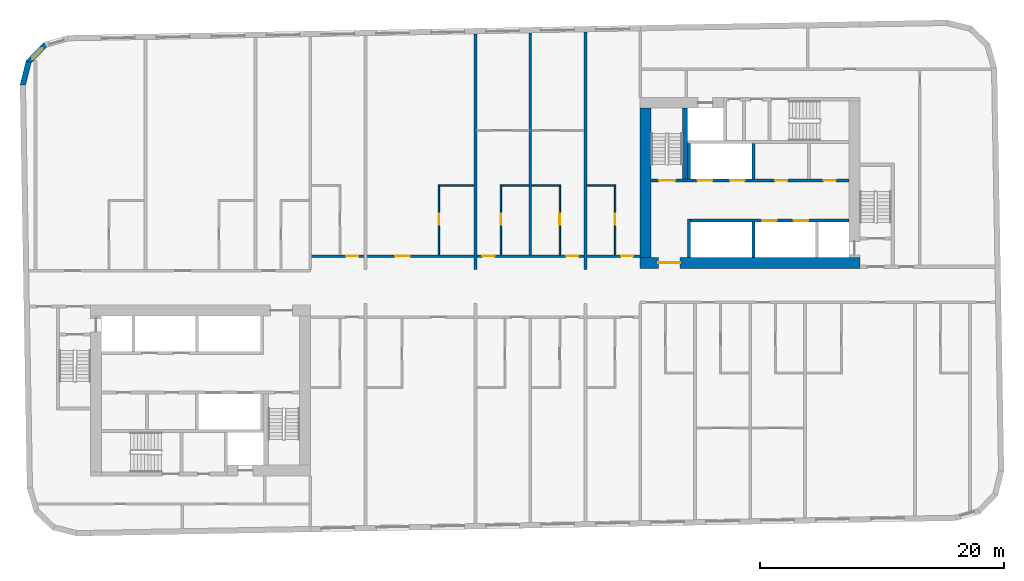
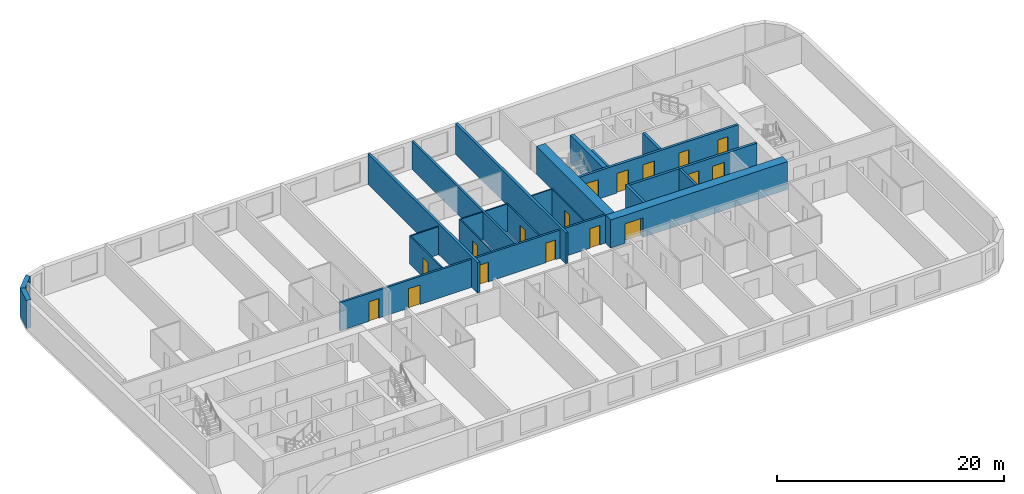
# One storey, part 5 of 12: 23 walls, 17 doors, 1 window, 18 openings.
"""IFC4 building model written with IfcOpenShell, lengths in metres."""

from ifc_helpers import new_model, si_unit, direction, frame, frame_2d, origin, place, context, subcontext, project, spatial, polyline, rectangle, outline, extrude, material, layer, layer_set, type_object, element, fill, save


model = new_model("IFC4")

# Units and contexts
model_context = context("Model", 3, precision=1e-05, world=origin(), true_north=direction((0.0, 1.0)))
body_context = subcontext(model_context, "Body", "Model", "MODEL_VIEW")
ifc_project = project(units=[si_unit("LENGTHUNIT", "METRE"), si_unit("AREAUNIT", "SQUARE_METRE"), si_unit("VOLUMEUNIT", "CUBIC_METRE"), si_unit("PLANEANGLEUNIT", "RADIAN"), si_unit("MASSUNIT", "GRAM", prefix="KILO")], contexts=[model_context])

# Site, building, storey
site_placement = place(None, origin())
site = spatial("IfcSite", under=ifc_project, at=site_placement, CompositionType="ELEMENT")
building_placement = place(site_placement, origin())
building = spatial("IfcBuilding", under=site, at=building_placement, Name="Kajstack Hotel Tower", CompositionType="ELEMENT")
storey_placement = place(building_placement, frame((0.0, 0.0, 234.199951171875)))
storey = spatial("IfcBuildingStorey", under=building, at=storey_placement, Name="L57", CompositionType="ELEMENT", Elevation=234.199951171875)

# Wall, opening, door
ifc_material_1 = material(Name="Concrete C60/75", Category="concrete")
ifc_layer_1 = layer(ifc_material_1, 0.89990234375)
ifc_layer_set_1 = layer_set([ifc_layer_1], Name="Core wall 900")
wall_type_1 = type_object("IfcWallType", Name="Core wall 900", PredefinedType="SHEAR", material=ifc_layer_set_1)
wall_1_placement = place(storey_placement, frame((13.5, 1.949951171875, 0.0), z_axis=(0.0, 0.0, 1.0), x_axis=(1.0, 0.0, 0.0)))
wall_1 = element("IfcWall", 1, at=wall_1_placement, inside=storey, type_object=wall_type_1, Name="Core wall E RN", PredefinedType="SHEAR", context=body_context, shape_type="SweptSolid", body=[
    extrude(rectangle(XDim=18.0, YDim=0.89990234375, at=frame_2d((9.0, 0.0))), origin(), (0.0, 0.0, 1.0), 3.02001953125),
])
opening_1_placement = place(wall_1_placement, frame((1.47509765625, 0.0, 0.0)))
opening_1 = element("IfcOpeningElement", 2, at=opening_1_placement, cuts=wall_1, Name="Opening 57E07", PredefinedType="OPENING", context=body_context, shape_type="SweptSolid", body=[
    extrude(rectangle(XDim=1.800048828125, YDim=2.10009765625, at=frame_2d((0.89990234375, 1.050048828125))), frame((0.0, 0.4599609375, 0.0), z_axis=(0.0, -1.0, 0.0), x_axis=(1.0, 0.0, 0.0)), (0.0, 0.0, 1.0), 0.919921875),
])
ifc_material_2 = material(Name="Glazed steel frame, fire-rated glass", Category="steel")
door_type_1 = type_object("IfcDoorType", Name="Lobby double door 1800", OperationType="DOUBLE_DOOR_DOUBLE_SWING", PredefinedType="DOOR", material=ifc_material_2)
door_1_placement = place(opening_1_placement, origin())
door_1 = element("IfcDoor", 3, at=door_1_placement, inside=storey, type_object=door_type_1, Name="Door 57E07", OperationType="DOUBLE_DOOR_DOUBLE_SWING", OverallHeight=2.10009765625, OverallWidth=1.800048828125, PredefinedType="DOOR", context=body_context, shape_type="SweptSolid", body=[
    extrude(rectangle(XDim=1.800048828125, YDim=2.10009765625, at=frame_2d((0.89990234375, 1.050048828125))), frame((0.0, 0.02490234375, 0.0), z_axis=(0.0, -1.0, 0.0), x_axis=(1.0, 0.0, 0.0)), (0.0, 0.0, 1.0), 0.050048828125),
])
fill(opening_1, door_1)

# Wall
wall_2_placement = place(storey_placement, frame((13.949951171875, 2.39990234375, 0.0), z_axis=(0.0, 0.0, 1.0), x_axis=(0.0, 1.0, 0.0)))
element("IfcWall", 4, at=wall_2_placement, inside=storey, type_object=wall_type_1, Name="Core wall E RE", PredefinedType="SHEAR", context=body_context, shape_type="SweptSolid", body=[
    extrude(rectangle(XDim=12.2001953125, YDim=0.89990234375, at=frame_2d((6.10009765625, 0.0))), origin(), (0.0, 0.0, 1.0), 3.02001953125),
])

# Wall, openings, doors
ifc_material_3 = material(Name="Gypsum board on steel studs, mineral wool", Category="steel")
ifc_layer_2 = layer(ifc_material_3, 0.199951171875)
ifc_layer_set_2 = layer_set([ifc_layer_2], Name="Corridor wall 200")
wall_type_2 = type_object("IfcWallType", Name="Corridor wall 200", PredefinedType="PARTITIONING", material=ifc_layer_set_2)
wall_3_placement = place(storey_placement, frame((-13.5, 2.5, 0.0), z_axis=(0.0, 0.0, 1.0), x_axis=(1.0, 0.0, 0.0)))
wall_3 = element("IfcWall", 5, at=wall_3_placement, inside=storey, type_object=wall_type_2, Name="G-wall-L57-004", PredefinedType="PARTITIONING", context=body_context, shape_type="SweptSolid", body=[
    extrude(rectangle(XDim=27.0, YDim=0.199951171875, at=frame_2d((13.5, 0.0))), origin(), (0.0, 0.0, 1.0), 3.02001953125),
])
opening_2_placement = place(wall_3_placement, frame((2.925048828125, 0.0, 0.0)))
opening_2 = element("IfcOpeningElement", 6, at=opening_2_placement, cuts=wall_3, Name="Opening 57007", PredefinedType="OPENING", context=body_context, shape_type="SweptSolid", body=[
    extrude(rectangle(XDim=1.0, YDim=2.10009765625, at=frame_2d((0.5, 1.050048828125))), frame((0.0, 0.10986328125, 0.0), z_axis=(0.0, -1.0, 0.0), x_axis=(1.0, 0.0, 0.0)), (0.0, 0.0, 1.0), 0.219970703125),
])
opening_3_placement = place(wall_3_placement, frame((6.93798828125, 0.0, 0.0)))
opening_3 = element("IfcOpeningElement", 7, at=opening_3_placement, cuts=wall_3, Name="Opening 57009", PredefinedType="OPENING", context=body_context, shape_type="SweptSolid", body=[
    extrude(rectangle(XDim=1.199951171875, YDim=2.10009765625, at=frame_2d((0.60009765625, 1.050048828125))), frame((0.0, 0.10986328125, 0.0), z_axis=(0.0, -1.0, 0.0), x_axis=(1.0, 0.0, 0.0)), (0.0, 0.0, 1.0), 0.219970703125),
])
opening_4_placement = place(wall_3_placement, frame((14.074951171875, 0.0, 0.0)))
opening_4 = element("IfcOpeningElement", 8, at=opening_4_placement, cuts=wall_3, Name="Opening 57011", PredefinedType="OPENING", context=body_context, shape_type="SweptSolid", body=[
    extrude(rectangle(XDim=1.0, YDim=2.10009765625, at=frame_2d((0.5, 1.050048828125))), frame((0.0, 0.10986328125, 0.0), z_axis=(0.0, -1.0, 0.0), x_axis=(1.0, 0.0, 0.0)), (0.0, 0.0, 1.0), 0.219970703125),
])
opening_5_placement = place(wall_3_placement, frame((20.925048828125, 0.0, 0.0)))
opening_5 = element("IfcOpeningElement", 9, at=opening_5_placement, cuts=wall_3, Name="Opening 57014", PredefinedType="OPENING", context=body_context, shape_type="SweptSolid", body=[
    extrude(rectangle(XDim=1.0, YDim=2.10009765625, at=frame_2d((0.5, 1.050048828125))), frame((0.0, 0.10986328125, 0.0), z_axis=(0.0, -1.0, 0.0), x_axis=(1.0, 0.0, 0.0)), (0.0, 0.0, 1.0), 0.219970703125),
])
opening_6_placement = place(wall_3_placement, frame((25.425048828125, 0.0, 0.0)))
opening_6 = element("IfcOpeningElement", 10, at=opening_6_placement, cuts=wall_3, Name="Opening 57017", PredefinedType="OPENING", context=body_context, shape_type="SweptSolid", body=[
    extrude(rectangle(XDim=1.0, YDim=2.10009765625, at=frame_2d((0.5, 1.050048828125))), frame((0.0, 0.10986328125, 0.0), z_axis=(0.0, -1.0, 0.0), x_axis=(1.0, 0.0, 0.0)), (0.0, 0.0, 1.0), 0.219970703125),
])
ifc_material_4 = material(Name="Oak veneer on timber core, fire-rated leaf", Category="wood")
door_type_2 = type_object("IfcDoorType", Name="Flat entrance door 1000", OperationType="SINGLE_SWING_LEFT", PredefinedType="DOOR", material=ifc_material_4)
door_2_placement = place(opening_2_placement, origin())
door_2 = element("IfcDoor", 11, at=door_2_placement, inside=storey, type_object=door_type_2, Name="G-door-L57-07", OperationType="SINGLE_SWING_RIGHT", OverallHeight=2.10009765625, OverallWidth=1.0, PredefinedType="DOOR", context=body_context, shape_type="SweptSolid", body=[
    extrude(rectangle(XDim=1.0, YDim=2.10009765625, at=frame_2d((0.5, 1.050048828125))), frame((0.0, 0.02490234375, 0.0), z_axis=(0.0, -1.0, 0.0), x_axis=(1.0, 0.0, 0.0)), (0.0, 0.0, 1.0), 0.050048828125),
])
fill(opening_2, door_2)
door_3_placement = place(opening_4_placement, origin())
door_3 = element("IfcDoor", 12, at=door_3_placement, inside=storey, type_object=door_type_2, Name="G-door-L57-11", OperationType="SINGLE_SWING_LEFT", OverallHeight=2.10009765625, OverallWidth=1.0, PredefinedType="DOOR", context=body_context, shape_type="SweptSolid", body=[
    extrude(rectangle(XDim=1.0, YDim=2.10009765625, at=frame_2d((0.5, 1.050048828125))), frame((0.0, 0.02490234375, 0.0), z_axis=(0.0, -1.0, 0.0), x_axis=(1.0, 0.0, 0.0)), (0.0, 0.0, 1.0), 0.050048828125),
])
fill(opening_4, door_3)
door_4_placement = place(opening_5_placement, origin())
door_4 = element("IfcDoor", 13, at=door_4_placement, inside=storey, type_object=door_type_2, Name="G-door-L57-14", OperationType="SINGLE_SWING_LEFT", OverallHeight=2.10009765625, OverallWidth=1.0, PredefinedType="DOOR", context=body_context, shape_type="SweptSolid", body=[
    extrude(rectangle(XDim=1.0, YDim=2.10009765625, at=frame_2d((0.5, 1.050048828125))), frame((0.0, 0.02490234375, 0.0), z_axis=(0.0, -1.0, 0.0), x_axis=(1.0, 0.0, 0.0)), (0.0, 0.0, 1.0), 0.050048828125),
])
fill(opening_5, door_4)
door_5_placement = place(opening_6_placement, origin())
door_5 = element("IfcDoor", 14, at=door_5_placement, inside=storey, type_object=door_type_2, Name="G-door-L57-17", OperationType="SINGLE_SWING_RIGHT", OverallHeight=2.10009765625, OverallWidth=1.0, PredefinedType="DOOR", context=body_context, shape_type="SweptSolid", body=[
    extrude(rectangle(XDim=1.0, YDim=2.10009765625, at=frame_2d((0.5, 1.050048828125))), frame((0.0, 0.02490234375, 0.0), z_axis=(0.0, -1.0, 0.0), x_axis=(1.0, 0.0, 0.0)), (0.0, 0.0, 1.0), 0.050048828125),
])
fill(opening_6, door_5)
door_type_3 = type_object("IfcDoorType", Name="Flat entrance door 1200", OperationType="SINGLE_SWING_LEFT", PredefinedType="DOOR", material=ifc_material_4)
door_6_placement = place(opening_3_placement, origin())
door_6 = element("IfcDoor", 15, at=door_6_placement, inside=storey, type_object=door_type_3, Name="G-door-L57-09", OperationType="SINGLE_SWING_LEFT", OverallHeight=2.10009765625, OverallWidth=1.199951171875, PredefinedType="DOOR", context=body_context, shape_type="SweptSolid", body=[
    extrude(rectangle(XDim=1.199951171875, YDim=2.10009765625, at=frame_2d((0.60009765625, 1.050048828125))), frame((0.0, 0.02490234375, 0.0), z_axis=(0.0, -1.0, 0.0), x_axis=(1.0, 0.0, 0.0)), (0.0, 0.0, 1.0), 0.050048828125),
])
fill(opening_3, door_6)

# Wall
ifc_material_5 = material(Name="Twin-frame gypsum board on steel studs, mineral wool", Category="steel")
ifc_layer_3 = layer(ifc_material_5, 0.199951171875)
ifc_layer_set_3 = layer_set([ifc_layer_3], Name="Demising wall 200")
wall_type_3 = type_object("IfcWallType", Name="Demising wall 200", PredefinedType="PARTITIONING", material=ifc_layer_set_3)
wall_4_placement = place(storey_placement, frame((4.5, 2.60009765625, 0.0), z_axis=(0.0, 0.0, 1.0), x_axis=(0.0, 1.0, 0.0)))
element("IfcWall", 16, at=wall_4_placement, inside=storey, type_object=wall_type_3, Name="G-wall-L57-016", PredefinedType="PARTITIONING", context=body_context, shape_type="SweptSolid", body=[
    extrude(rectangle(XDim=18.178955078125, YDim=0.199951171875, at=frame_2d((9.08935546875, 0.0))), origin(), (0.0, 0.0, 1.0), 3.02001953125),
])

# Wall, opening, window
ifc_material_6 = material(Name="Terracotta-faced brick masonry", Category="masonry")
ifc_layer_4 = layer(ifc_material_6, 0.449951171875)
ifc_layer_set_4 = layer_set([ifc_layer_4], Name="EW-TERRA")
wall_type_4 = type_object("IfcWallType", Name="EW-TERRA", PredefinedType="SOLIDWALL", material=ifc_layer_set_4)
wall_5_placement = place(storey_placement, frame((-35.1806640625, 19.841552734375, 0.0), z_axis=(0.0, 0.0, 1.0), x_axis=(-0.694678672846, -0.719320193998, 0.0)))
wall_5 = element("IfcWall", 17, at=wall_5_placement, inside=storey, type_object=wall_type_4, Name="E-wall-L57-14-00", PredefinedType="SOLIDWALL", context=body_context, shape_type="SweptSolid", body=[
    extrude(outline(polyline([(0.0, -0.22509765625), (2.07080078125, -0.22509765625), (1.9501953125, 0.224853515625), (0.12060546875, 0.224853515625), (0.0, -0.22509765625)])), origin(), (0.0, 0.0, 1.0), 3.02001953125),
])
opening_7_placement = place(wall_5_placement, frame((0.435302734375, 0.0, 0.449951171875)))
opening_7 = element("IfcOpeningElement", 18, at=opening_7_placement, cuts=wall_5, Name="Opening W3", PredefinedType="OPENING", context=body_context, shape_type="SweptSolid", body=[
    extrude(rectangle(XDim=1.199951171875, YDim=2.25, at=frame_2d((0.60009765625, 1.125))), frame((0.0, 0.23486328125, 0.0), z_axis=(0.0, -1.0, 0.0), x_axis=(1.0, 0.0, 0.0)), (0.0, 0.0, 1.0), 0.469970703125),
])
ifc_material_7 = material(Name="Timber-aluminium window, triple glazed", Category="wood")
window_type = type_object("IfcWindowType", Name="WG3", PartitioningType="SINGLE_PANEL", PredefinedType="WINDOW", material=ifc_material_7)
window_placement = place(opening_7_placement, origin())
window = element("IfcWindow", 19, at=window_placement, inside=storey, type_object=window_type, Name="Window W3 L57-14", OverallHeight=2.25, OverallWidth=1.199951171875, PartitioningType="SINGLE_PANEL", PredefinedType="WINDOW", context=body_context, shape_type="SweptSolid", body=[
    extrude(rectangle(XDim=1.199951171875, YDim=2.25, at=frame_2d((0.60009765625, 1.125))), frame((0.0, 0.090087890625, 0.0), z_axis=(0.0, -1.0, 0.0), x_axis=(1.0, 0.0, 0.0)), (0.0, 0.0, 1.0), 0.06005859375),
])
fill(opening_7, window)

# Wall
wall_6_placement = place(storey_placement, frame((-36.562744140625, 18.453857421875, 0.0), z_axis=(0.0, 0.0, 1.0), x_axis=(-0.241869623482, -0.970308757683, 0.0)))
element("IfcWall", 20, at=wall_6_placement, inside=storey, type_object=wall_type_4, Name="E-wall-L57-15-00", PredefinedType="SOLIDWALL", context=body_context, shape_type="SweptSolid", body=[
    extrude(outline(polyline([(-0.000244140625, -0.224853515625), (2.0703125, -0.22509765625), (1.94970703125, 0.224853515625), (0.120361328125, 0.22509765625), (-0.000244140625, -0.224853515625)])), origin(), (0.0, 0.0, 1.0), 3.02001953125),
])

# Wall, opening, door
ifc_material_8 = material(Name="Gypsum board and tiled backer on steel studs", Category="steel")
ifc_layer_5 = layer(ifc_material_8, 0.125)
ifc_layer_set_5 = layer_set([ifc_layer_5], Name="En-suite wall 125")
wall_type_5 = type_object("IfcWallType", Name="En-suite wall 125", PredefinedType="PARTITIONING", material=ifc_layer_set_5)
wall_7_placement = place(storey_placement, frame((-2.987060546875, 2.60009765625, 0.0), z_axis=(0.0, 0.0, 1.0), x_axis=(0.0, 1.0, 0.0)))
wall_7 = element("IfcWall", 21, at=wall_7_placement, inside=storey, type_object=wall_type_5, Name="G-wall-L57-014", PredefinedType="PARTITIONING", context=body_context, shape_type="SweptSolid", body=[
    extrude(rectangle(XDim=5.724853515625, YDim=0.125, at=frame_2d((2.8623046875, 0.0))), origin(), (0.0, 0.0, 1.0), 3.02001953125),
])
opening_8_placement = place(wall_7_placement, frame((2.449951171875, 0.0, 0.0)))
opening_8 = element("IfcOpeningElement", 22, at=opening_8_placement, cuts=wall_7, Name="Opening 57010", PredefinedType="OPENING", context=body_context, shape_type="SweptSolid", body=[
    extrude(rectangle(XDim=0.89990234375, YDim=2.10009765625, at=frame_2d((0.449951171875, 1.050048828125))), frame((0.0, 0.072509765625, 0.0), z_axis=(0.0, -1.0, 0.0), x_axis=(1.0, 0.0, 0.0)), (0.0, 0.0, 1.0), 0.14501953125),
])
ifc_material_9 = material(Name="Painted timber door leaf", Category="wood")
door_type_4 = type_object("IfcDoorType", Name="Room door 900", OperationType="SINGLE_SWING_LEFT", PredefinedType="DOOR", material=ifc_material_9)
door_7_placement = place(opening_8_placement, origin())
door_7 = element("IfcDoor", 23, at=door_7_placement, inside=storey, type_object=door_type_4, Name="G-door-L57-10", OperationType="SINGLE_SWING_RIGHT", OverallHeight=2.10009765625, OverallWidth=0.89990234375, PredefinedType="DOOR", context=body_context, shape_type="SweptSolid", body=[
    extrude(rectangle(XDim=0.89990234375, YDim=2.10009765625, at=frame_2d((0.449951171875, 1.050048828125))), frame((0.0, 0.02490234375, 0.0), z_axis=(0.0, -1.0, 0.0), x_axis=(1.0, 0.0, 0.0)), (0.0, 0.0, 1.0), 0.050048828125),
])
fill(opening_8, door_7)

# Wall
wall_8_placement = place(storey_placement, frame((-2.925048828125, 8.261962890625, 0.0), z_axis=(0.0, 0.0, 1.0), x_axis=(1.0, 0.0, 0.0)))
element("IfcWall", 24, at=wall_8_placement, inside=storey, type_object=wall_type_5, Name="G-wall-L57-015", PredefinedType="PARTITIONING", context=body_context, shape_type="SweptSolid", body=[
    extrude(rectangle(XDim=2.800048828125, YDim=0.125, at=frame_2d((1.39990234375, 0.0))), origin(), (0.0, 0.0, 1.0), 3.02001953125),
])

# Wall, opening, door
wall_9_placement = place(storey_placement, frame((2.0869140625, 2.60009765625, 0.0), z_axis=(0.0, 0.0, 1.0), x_axis=(0.0, 1.0, 0.0)))
wall_9 = element("IfcWall", 25, at=wall_9_placement, inside=storey, type_object=wall_type_5, Name="G-wall-L57-017", PredefinedType="PARTITIONING", context=body_context, shape_type="SweptSolid", body=[
    extrude(rectangle(XDim=5.724853515625, YDim=0.125, at=frame_2d((2.8623046875, 0.0))), origin(), (0.0, 0.0, 1.0), 3.02001953125),
])
opening_9_placement = place(wall_9_placement, frame((2.449951171875, 0.0, 0.0)))
opening_9 = element("IfcOpeningElement", 26, at=opening_9_placement, cuts=wall_9, Name="Opening 57012", PredefinedType="OPENING", context=body_context, shape_type="SweptSolid", body=[
    extrude(rectangle(XDim=0.89990234375, YDim=2.10009765625, at=frame_2d((0.449951171875, 1.050048828125))), frame((0.0, 0.072509765625, 0.0), z_axis=(0.0, -1.0, 0.0), x_axis=(1.0, 0.0, 0.0)), (0.0, 0.0, 1.0), 0.14501953125),
])
door_8_placement = place(opening_9_placement, origin())
door_8 = element("IfcDoor", 27, at=door_8_placement, inside=storey, type_object=door_type_4, Name="G-door-L57-12", OperationType="SINGLE_SWING_RIGHT", OverallHeight=2.10009765625, OverallWidth=0.89990234375, PredefinedType="DOOR", context=body_context, shape_type="SweptSolid", body=[
    extrude(rectangle(XDim=0.89990234375, YDim=2.10009765625, at=frame_2d((0.449951171875, 1.050048828125))), frame((0.0, 0.02490234375, 0.0), z_axis=(0.0, -1.0, 0.0), x_axis=(1.0, 0.0, 0.0)), (0.0, 0.0, 1.0), 0.050048828125),
])
fill(opening_9, door_8)

# Wall
wall_10_placement = place(storey_placement, frame((2.14990234375, 8.261962890625, 0.0), z_axis=(0.0, 0.0, 1.0), x_axis=(1.0, 0.0, 0.0)))
element("IfcWall", 28, at=wall_10_placement, inside=storey, type_object=wall_type_5, Name="G-wall-L57-018", PredefinedType="PARTITIONING", context=body_context, shape_type="SweptSolid", body=[
    extrude(rectangle(XDim=2.25, YDim=0.125, at=frame_2d((1.125, 0.0))), origin(), (0.0, 0.0, 1.0), 3.02001953125),
])

# Wall, opening, door
wall_11_placement = place(storey_placement, frame((6.912109375, 2.60009765625, 0.0), z_axis=(0.0, 0.0, 1.0), x_axis=(0.0, 1.0, 0.0)))
wall_11 = element("IfcWall", 29, at=wall_11_placement, inside=storey, type_object=wall_type_5, Name="G-wall-L57-020", PredefinedType="PARTITIONING", context=body_context, shape_type="SweptSolid", body=[
    extrude(rectangle(XDim=5.724853515625, YDim=0.125, at=frame_2d((2.8623046875, 0.0))), origin(), (0.0, 0.0, 1.0), 3.02001953125),
])
opening_10_placement = place(wall_11_placement, frame((2.449951171875, 0.0, 0.0)))
opening_10 = element("IfcOpeningElement", 30, at=opening_10_placement, cuts=wall_11, Name="Opening 57015", PredefinedType="OPENING", context=body_context, shape_type="SweptSolid", body=[
    extrude(rectangle(XDim=0.89990234375, YDim=2.10009765625, at=frame_2d((0.449951171875, 1.050048828125))), frame((0.0, 0.072509765625, 0.0), z_axis=(0.0, -1.0, 0.0), x_axis=(1.0, 0.0, 0.0)), (0.0, 0.0, 1.0), 0.14501953125),
])
door_9_placement = place(opening_10_placement, origin())
door_9 = element("IfcDoor", 31, at=door_9_placement, inside=storey, type_object=door_type_4, Name="G-door-L57-15", OperationType="SINGLE_SWING_RIGHT", OverallHeight=2.10009765625, OverallWidth=0.89990234375, PredefinedType="DOOR", context=body_context, shape_type="SweptSolid", body=[
    extrude(rectangle(XDim=0.89990234375, YDim=2.10009765625, at=frame_2d((0.449951171875, 1.050048828125))), frame((0.0, 0.02490234375, 0.0), z_axis=(0.0, -1.0, 0.0), x_axis=(1.0, 0.0, 0.0)), (0.0, 0.0, 1.0), 0.050048828125),
])
fill(opening_10, door_9)

# Wall
wall_12_placement = place(storey_placement, frame((4.60009765625, 8.261962890625, 0.0), z_axis=(0.0, 0.0, 1.0), x_axis=(1.0, 0.0, 0.0)))
element("IfcWall", 32, at=wall_12_placement, inside=storey, type_object=wall_type_5, Name="G-wall-L57-021", PredefinedType="PARTITIONING", context=body_context, shape_type="SweptSolid", body=[
    extrude(rectangle(XDim=2.25, YDim=0.125, at=frame_2d((1.125, 0.0))), origin(), (0.0, 0.0, 1.0), 3.02001953125),
])

# Wall, opening, door
wall_13_placement = place(storey_placement, frame((11.43798828125, 2.60009765625, 0.0), z_axis=(0.0, 0.0, 1.0), x_axis=(0.0, 1.0, 0.0)))
wall_13 = element("IfcWall", 33, at=wall_13_placement, inside=storey, type_object=wall_type_5, Name="G-wall-L57-023", PredefinedType="PARTITIONING", context=body_context, shape_type="SweptSolid", body=[
    extrude(rectangle(XDim=5.724853515625, YDim=0.125, at=frame_2d((2.8623046875, 0.0))), origin(), (0.0, 0.0, 1.0), 3.02001953125),
])
opening_11_placement = place(wall_13_placement, frame((2.449951171875, 0.0, 0.0)))
opening_11 = element("IfcOpeningElement", 34, at=opening_11_placement, cuts=wall_13, Name="Opening 57018", PredefinedType="OPENING", context=body_context, shape_type="SweptSolid", body=[
    extrude(rectangle(XDim=0.89990234375, YDim=2.10009765625, at=frame_2d((0.449951171875, 1.050048828125))), frame((0.0, 0.072509765625, 0.0), z_axis=(0.0, -1.0, 0.0), x_axis=(1.0, 0.0, 0.0)), (0.0, 0.0, 1.0), 0.14501953125),
])
door_10_placement = place(opening_11_placement, origin())
door_10 = element("IfcDoor", 35, at=door_10_placement, inside=storey, type_object=door_type_4, Name="G-door-L57-18", OperationType="SINGLE_SWING_LEFT", OverallHeight=2.10009765625, OverallWidth=0.89990234375, PredefinedType="DOOR", context=body_context, shape_type="SweptSolid", body=[
    extrude(rectangle(XDim=0.89990234375, YDim=2.10009765625, at=frame_2d((0.449951171875, 1.050048828125))), frame((0.0, 0.02490234375, 0.0), z_axis=(0.0, -1.0, 0.0), x_axis=(1.0, 0.0, 0.0)), (0.0, 0.0, 1.0), 0.050048828125),
])
fill(opening_11, door_10)

# Walls
wall_14_placement = place(storey_placement, frame((9.125, 8.261962890625, 0.0), z_axis=(0.0, 0.0, 1.0), x_axis=(1.0, 0.0, 0.0)))
element("IfcWall", 36, at=wall_14_placement, inside=storey, type_object=wall_type_5, Name="G-wall-L57-024", PredefinedType="PARTITIONING", context=body_context, shape_type="SweptSolid", body=[
    extrude(rectangle(XDim=2.25, YDim=0.125, at=frame_2d((1.125, 0.0))), origin(), (0.0, 0.0, 1.0), 3.02001953125),
])
ifc_material_10 = material(Name="Concrete C50/60", Category="concrete")
ifc_layer_6 = layer(ifc_material_10, 0.300048828125)
ifc_layer_set_6 = layer_set([ifc_layer_6], Name="Hoistway divider wall 300")
wall_type_6 = type_object("IfcWallType", Name="Hoistway divider wall 300", PredefinedType="SHEAR", material=ifc_layer_set_6)
wall_15_placement = place(storey_placement, frame((22.77490234375, 2.39990234375, 0.0), z_axis=(0.0, 0.0, 1.0), x_axis=(0.0, 1.0, 0.0)))
element("IfcWall", 37, at=wall_15_placement, inside=storey, type_object=wall_type_6, Name="Core wall E AP2", PredefinedType="SHEAR", context=body_context, shape_type="SweptSolid", body=[
    extrude(rectangle(XDim=2.900146484375, YDim=0.25, at=frame_2d((1.4501953125, 0.0))), origin(), (0.0, 0.0, 1.0), 3.02001953125),
])
wall_16_placement = place(storey_placement, frame((22.77490234375, 8.800048828125, 0.0), z_axis=(0.0, 0.0, 1.0), x_axis=(0.0, 1.0, 0.0)))
element("IfcWall", 38, at=wall_16_placement, inside=storey, type_object=wall_type_6, Name="Core wall E BP2", PredefinedType="SHEAR", context=body_context, shape_type="SweptSolid", body=[
    extrude(rectangle(XDim=2.89990234375, YDim=0.25, at=frame_2d((1.449951171875, 0.0))), origin(), (0.0, 0.0, 1.0), 3.02001953125),
])
ifc_material_11 = material(Name="Concrete C45/55", Category="concrete")
ifc_layer_7 = layer(ifc_material_11, 0.25)
ifc_layer_set_7 = layer_set([ifc_layer_7], Name="RC cross wall 250 C45/55")
wall_type_7 = type_object("IfcWallType", Name="RC cross wall 250 C45/55", PredefinedType="SHEAR", material=ifc_layer_set_7)
wall_17_placement = place(storey_placement, frame((0.0, 1.39990234375, 0.0), z_axis=(0.0, 0.0, 1.0), x_axis=(0.0, 1.0, 0.0)))
element("IfcWall", 39, at=wall_17_placement, inside=storey, type_object=wall_type_7, Name="S-wall-L57-07", PredefinedType="SHEAR", context=body_context, shape_type="SweptSolid", body=[
    extrude(rectangle(XDim=19.28857421875, YDim=0.25, at=frame_2d((9.644287109375, 0.0))), origin(), (0.0, 0.0, 1.0), 3.300048828125),
])
wall_18_placement = place(storey_placement, frame((9.0, 1.39990234375, 0.0), z_axis=(0.0, 0.0, 1.0), x_axis=(0.0, 1.0, 0.0)))
element("IfcWall", 40, at=wall_18_placement, inside=storey, type_object=wall_type_7, Name="S-wall-L57-09", PredefinedType="SHEAR", context=body_context, shape_type="SweptSolid", body=[
    extrude(rectangle(XDim=19.44580078125, YDim=0.25, at=frame_2d((9.722900390625, 0.0))), origin(), (0.0, 0.0, 1.0), 3.300048828125),
])

# Wall, openings, doors
ifc_layer_8 = layer(ifc_material_10, 0.25)
ifc_layer_set_8 = layer_set([ifc_layer_8], Name="Shaft wall 250")
wall_type_8 = type_object("IfcWallType", Name="Shaft wall 250", PredefinedType="SHEAR", material=ifc_layer_set_8)
wall_19_placement = place(storey_placement, frame((17.60009765625, 5.425048828125, 0.0), z_axis=(0.0, 0.0, 1.0), x_axis=(1.0, 0.0, 0.0)))
wall_19 = element("IfcWall", 41, at=wall_19_placement, inside=storey, type_object=wall_type_8, Name="Core wall E FA", PredefinedType="SHEAR", context=body_context, shape_type="SweptSolid", body=[
    extrude(rectangle(XDim=13.0, YDim=0.25, at=frame_2d((6.5, 0.0))), origin(), (0.0, 0.0, 1.0), 3.02001953125),
])
opening_12_placement = place(wall_19_placement, frame((8.47509765625, 0.0, 0.0)))
opening_12 = element("IfcOpeningElement", 42, at=opening_12_placement, cuts=wall_19, Name="Opening LD-MR7", PredefinedType="OPENING", context=body_context, shape_type="SweptSolid", body=[
    extrude(rectangle(XDim=1.199951171875, YDim=2.10009765625, at=frame_2d((0.60009765625, 1.050048828125))), frame((0.0, 0.135009765625, 0.0), z_axis=(0.0, -1.0, 0.0), x_axis=(1.0, 0.0, 0.0)), (0.0, 0.0, 1.0), 0.27001953125),
])
opening_13_placement = place(wall_19_placement, frame((5.875, 0.0, 0.0)))
opening_13 = element("IfcOpeningElement", 43, at=opening_13_placement, cuts=wall_19, Name="Opening LD-MR8", PredefinedType="OPENING", context=body_context, shape_type="SweptSolid", body=[
    extrude(rectangle(XDim=1.199951171875, YDim=2.10009765625, at=frame_2d((0.60009765625, 1.050048828125))), frame((0.0, 0.135009765625, 0.0), z_axis=(0.0, -1.0, 0.0), x_axis=(1.0, 0.0, 0.0)), (0.0, 0.0, 1.0), 0.27001953125),
])
ifc_material_12 = material(Name="Stainless steel", Category="steel")
door_type_5 = type_object("IfcDoorType", Name="Lift landing door 1200", OperationType="SLIDING_TO_LEFT", PredefinedType="DOOR", material=ifc_material_12)
door_11_placement = place(opening_12_placement, origin())
door_11 = element("IfcDoor", 44, at=door_11_placement, inside=storey, type_object=door_type_5, Name="Landing door MR7", OperationType="SLIDING_TO_LEFT", OverallHeight=2.10009765625, OverallWidth=1.199951171875, PredefinedType="DOOR", context=body_context, shape_type="SweptSolid", body=[
    extrude(rectangle(XDim=1.199951171875, YDim=2.10009765625, at=frame_2d((0.60009765625, 1.050048828125))), frame((0.0, 0.02490234375, 0.0), z_axis=(0.0, -1.0, 0.0), x_axis=(1.0, 0.0, 0.0)), (0.0, 0.0, 1.0), 0.050048828125),
])
fill(opening_12, door_11)
door_12_placement = place(opening_13_placement, origin())
door_12 = element("IfcDoor", 45, at=door_12_placement, inside=storey, type_object=door_type_5, Name="Landing door MR8", OperationType="SLIDING_TO_RIGHT", OverallHeight=2.10009765625, OverallWidth=1.199951171875, PredefinedType="DOOR", context=body_context, shape_type="SweptSolid", body=[
    extrude(rectangle(XDim=1.199951171875, YDim=2.10009765625, at=frame_2d((0.60009765625, 1.050048828125))), frame((0.0, 0.02490234375, 0.0), z_axis=(0.0, -1.0, 0.0), x_axis=(1.0, 0.0, 0.0)), (0.0, 0.0, 1.0), 0.050048828125),
])
fill(opening_13, door_12)

# Wall
wall_20_placement = place(storey_placement, frame((17.47509765625, 2.39990234375, 0.0), z_axis=(0.0, 0.0, 1.0), x_axis=(0.0, 1.0, 0.0)))
element("IfcWall", 46, at=wall_20_placement, inside=storey, type_object=wall_type_8, Name="Core wall E AE", PredefinedType="SHEAR", context=body_context, shape_type="SweptSolid", body=[
    extrude(rectangle(XDim=3.150146484375, YDim=0.25, at=frame_2d((1.5751953125, 0.0))), origin(), (0.0, 0.0, 1.0), 3.02001953125),
])

# Wall, openings, doors
wall_21_placement = place(storey_placement, frame((14.39990234375, 8.675048828125, 0.0), z_axis=(0.0, 0.0, 1.0), x_axis=(1.0, 0.0, 0.0)))
wall_21 = element("IfcWall", 47, at=wall_21_placement, inside=storey, type_object=wall_type_8, Name="Core wall E FB", PredefinedType="SHEAR", context=body_context, shape_type="SweptSolid", body=[
    extrude(rectangle(XDim=16.2001953125, YDim=0.25, at=frame_2d((8.10009765625, 0.0))), origin(), (0.0, 0.0, 1.0), 3.02001953125),
])
opening_14_placement = place(wall_21_placement, frame((6.449951171875, 0.0, 0.0)))
opening_14 = element("IfcOpeningElement", 48, at=opening_14_placement, cuts=wall_21, Name="Opening LD-MR5", PredefinedType="OPENING", context=body_context, shape_type="SweptSolid", body=[
    extrude(rectangle(XDim=1.199951171875, YDim=2.10009765625, at=frame_2d((0.60009765625, 1.050048828125))), frame((0.0, 0.135009765625, 0.0), z_axis=(0.0, -1.0, 0.0), x_axis=(1.0, 0.0, 0.0)), (0.0, 0.0, 1.0), 0.27001953125),
])
opening_15_placement = place(wall_21_placement, frame((3.800048828125, 0.0, 0.0)))
opening_15 = element("IfcOpeningElement", 49, at=opening_15_placement, cuts=wall_21, Name="Opening LD-MR6", PredefinedType="OPENING", context=body_context, shape_type="SweptSolid", body=[
    extrude(rectangle(XDim=1.199951171875, YDim=2.10009765625, at=frame_2d((0.60009765625, 1.050048828125))), frame((0.0, 0.135009765625, 0.0), z_axis=(0.0, -1.0, 0.0), x_axis=(1.0, 0.0, 0.0)), (0.0, 0.0, 1.0), 0.27001953125),
])
opening_16_placement = place(wall_21_placement, frame((0.64990234375, 0.0, 0.0)))
opening_16 = element("IfcOpeningElement", 50, at=opening_16_placement, cuts=wall_21, Name="Opening 57E11", PredefinedType="OPENING", context=body_context, shape_type="SweptSolid", body=[
    extrude(rectangle(XDim=1.300048828125, YDim=2.10009765625, at=frame_2d((0.64990234375, 1.050048828125))), frame((0.0, 0.135009765625, 0.0), z_axis=(0.0, -1.0, 0.0), x_axis=(1.0, 0.0, 0.0)), (0.0, 0.0, 1.0), 0.27001953125),
])
opening_17_placement = place(wall_21_placement, frame((14.112548828125, 0.0, 0.0)))
opening_17 = element("IfcOpeningElement", 51, at=opening_17_placement, cuts=wall_21, Name="Opening 57E15", PredefinedType="OPENING", context=body_context, shape_type="SweptSolid", body=[
    extrude(rectangle(XDim=1.0, YDim=2.10009765625, at=frame_2d((0.5, 1.050048828125))), frame((0.0, 0.135009765625, 0.0), z_axis=(0.0, -1.0, 0.0), x_axis=(1.0, 0.0, 0.0)), (0.0, 0.0, 1.0), 0.27001953125),
])
opening_18_placement = place(wall_21_placement, frame((10.137451171875, 0.0, 0.0)))
opening_18 = element("IfcOpeningElement", 52, at=opening_18_placement, cuts=wall_21, Name="Opening 57E16", PredefinedType="OPENING", context=body_context, shape_type="SweptSolid", body=[
    extrude(rectangle(XDim=1.0, YDim=2.10009765625, at=frame_2d((0.5, 1.050048828125))), frame((0.0, 0.135009765625, 0.0), z_axis=(0.0, -1.0, 0.0), x_axis=(1.0, 0.0, 0.0)), (0.0, 0.0, 1.0), 0.27001953125),
])
door_13_placement = place(opening_14_placement, origin())
door_13 = element("IfcDoor", 53, at=door_13_placement, inside=storey, type_object=door_type_5, Name="Landing door MR5", OperationType="SLIDING_TO_LEFT", OverallHeight=2.10009765625, OverallWidth=1.199951171875, PredefinedType="DOOR", context=body_context, shape_type="SweptSolid", body=[
    extrude(rectangle(XDim=1.199951171875, YDim=2.10009765625, at=frame_2d((0.60009765625, 1.050048828125))), frame((0.0, 0.02490234375, 0.0), z_axis=(0.0, -1.0, 0.0), x_axis=(1.0, 0.0, 0.0)), (0.0, 0.0, 1.0), 0.050048828125),
])
fill(opening_14, door_13)
door_14_placement = place(opening_15_placement, origin())
door_14 = element("IfcDoor", 54, at=door_14_placement, inside=storey, type_object=door_type_5, Name="Landing door MR6", OperationType="SLIDING_TO_RIGHT", OverallHeight=2.10009765625, OverallWidth=1.199951171875, PredefinedType="DOOR", context=body_context, shape_type="SweptSolid", body=[
    extrude(rectangle(XDim=1.199951171875, YDim=2.10009765625, at=frame_2d((0.60009765625, 1.050048828125))), frame((0.0, 0.02490234375, 0.0), z_axis=(0.0, -1.0, 0.0), x_axis=(1.0, 0.0, 0.0)), (0.0, 0.0, 1.0), 0.050048828125),
])
fill(opening_15, door_14)
ifc_material_13 = material(Name="Timber leaf, fire-rated", Category="wood")
door_type_6 = type_object("IfcDoorType", Name="Service room door 1000", OperationType="SINGLE_SWING_LEFT", PredefinedType="DOOR", material=ifc_material_13)
door_15_placement = place(opening_17_placement, origin())
door_15 = element("IfcDoor", 55, at=door_15_placement, inside=storey, type_object=door_type_6, Name="Door 57E15", OperationType="SINGLE_SWING_LEFT", OverallHeight=2.10009765625, OverallWidth=1.0, PredefinedType="DOOR", context=body_context, shape_type="SweptSolid", body=[
    extrude(rectangle(XDim=1.0, YDim=2.10009765625, at=frame_2d((0.5, 1.050048828125))), frame((0.0, 0.02490234375, 0.0), z_axis=(0.0, -1.0, 0.0), x_axis=(1.0, 0.0, 0.0)), (0.0, 0.0, 1.0), 0.050048828125),
])
fill(opening_17, door_15)
door_16_placement = place(opening_18_placement, origin())
door_16 = element("IfcDoor", 56, at=door_16_placement, inside=storey, type_object=door_type_6, Name="Door 57E16", OperationType="SINGLE_SWING_LEFT", OverallHeight=2.10009765625, OverallWidth=1.0, PredefinedType="DOOR", context=body_context, shape_type="SweptSolid", body=[
    extrude(rectangle(XDim=1.0, YDim=2.10009765625, at=frame_2d((0.5, 1.050048828125))), frame((0.0, 0.02490234375, 0.0), z_axis=(0.0, -1.0, 0.0), x_axis=(1.0, 0.0, 0.0)), (0.0, 0.0, 1.0), 0.050048828125),
])
fill(opening_18, door_16)
ifc_material_14 = material(Name="Steel leaf, fire-rated", Category="steel")
door_type_7 = type_object("IfcDoorType", Name="Stair door 1300", OperationType="SINGLE_SWING_LEFT", PredefinedType="DOOR", material=ifc_material_14)
door_17_placement = place(opening_16_placement, origin())
door_17 = element("IfcDoor", 57, at=door_17_placement, inside=storey, type_object=door_type_7, Name="Door 57E11", OperationType="SINGLE_SWING_LEFT", OverallHeight=2.10009765625, OverallWidth=1.300048828125, PredefinedType="DOOR", context=body_context, shape_type="SweptSolid", body=[
    extrude(rectangle(XDim=1.300048828125, YDim=2.10009765625, at=frame_2d((0.64990234375, 1.050048828125))), frame((0.0, 0.02490234375, 0.0), z_axis=(0.0, -1.0, 0.0), x_axis=(1.0, 0.0, 0.0)), (0.0, 0.0, 1.0), 0.050048828125),
])
fill(opening_16, door_17)

# Walls
wall_22_placement = place(storey_placement, frame((17.47509765625, 8.800048828125, 0.0), z_axis=(0.0, 0.0, 1.0), x_axis=(0.0, 1.0, 0.0)))
element("IfcWall", 58, at=wall_22_placement, inside=storey, type_object=wall_type_8, Name="Core wall E BE", PredefinedType="SHEAR", context=body_context, shape_type="SweptSolid", body=[
    extrude(rectangle(XDim=2.89990234375, YDim=0.25, at=frame_2d((1.449951171875, 0.0))), origin(), (0.0, 0.0, 1.0), 3.02001953125),
])
ifc_layer_9 = layer(ifc_material_10, 0.39990234375)
ifc_layer_set_9 = layer_set([ifc_layer_9], Name="Stair wall 400")
wall_type_9 = type_object("IfcWallType", Name="Stair wall 400", PredefinedType="SHEAR", material=ifc_layer_set_9)
wall_23_placement = place(storey_placement, frame((17.14990234375, 8.800048828125, 0.0), z_axis=(0.0, 0.0, 1.0), x_axis=(0.0, 1.0, 0.0)))
element("IfcWall", 59, at=wall_23_placement, inside=storey, type_object=wall_type_9, Name="Core wall E WW2", PredefinedType="SHEAR", context=body_context, shape_type="SweptSolid", body=[
    extrude(rectangle(XDim=5.800048828125, YDim=0.39990234375, at=frame_2d((2.89990234375, 0.0))), origin(), (0.0, 0.0, 1.0), 3.02001953125),
])

save(model, "model.ifc")
